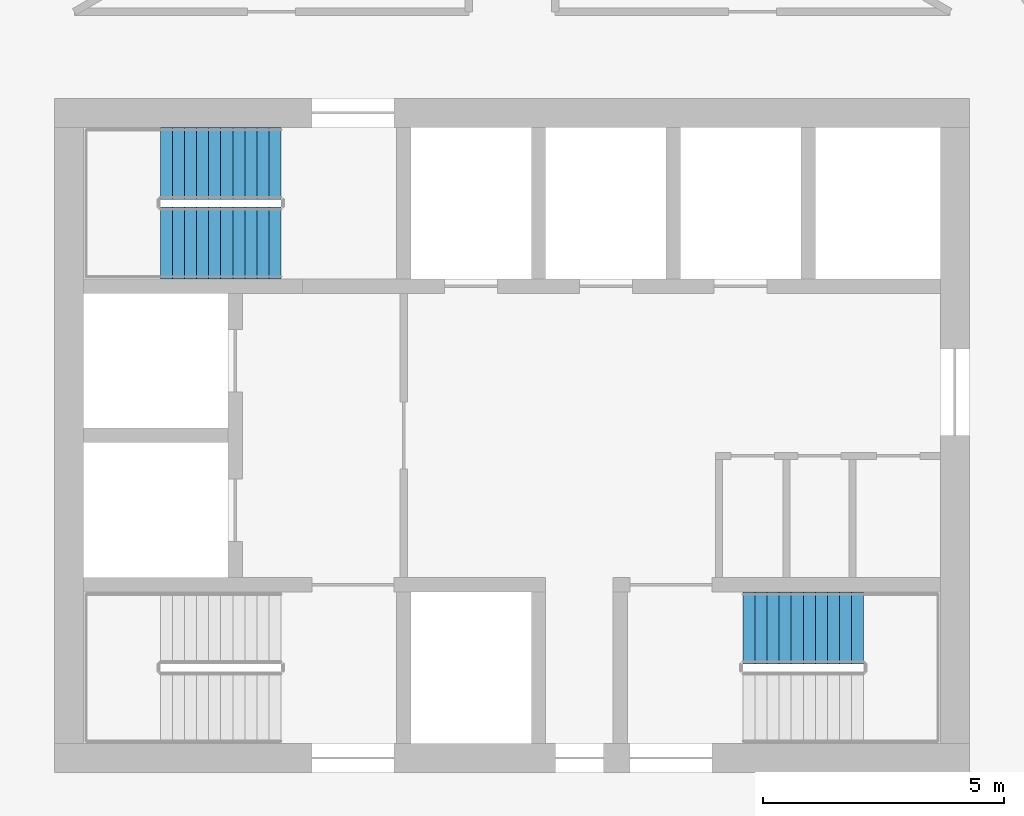
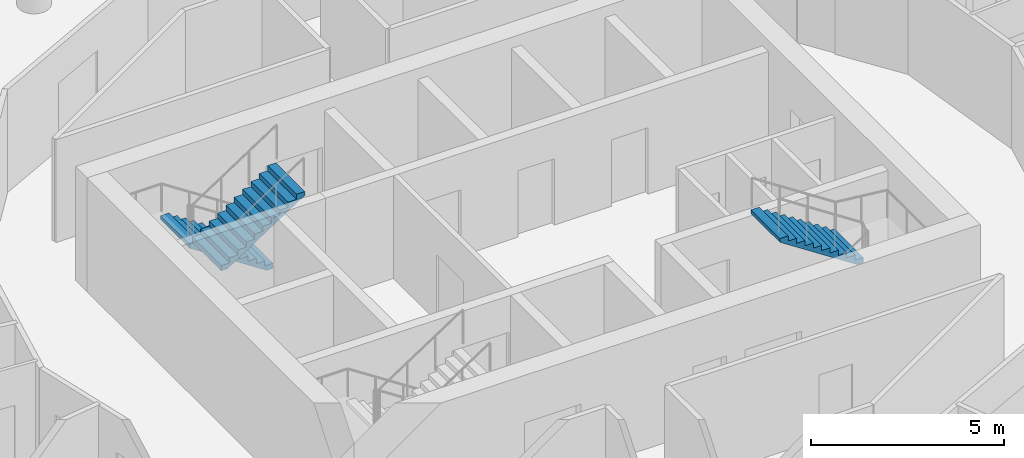
# One storey, part 11 of 12: 3 stair flights, 2 elements without a shape of their own.
"""IFC4 building model written with IfcOpenShell, lengths in metres."""

from ifc_helpers import new_model, si_unit, direction, frame, origin, place, context, subcontext, project, spatial, polyline, outline, extrude, material, type_object, element, aggregate, save


model = new_model("IFC4")

# Units and contexts
model_context = context("Model", 3, precision=1e-05, world=origin(), true_north=direction((0.0, 1.0)))
body_context = subcontext(model_context, "Body", "Model", "MODEL_VIEW")
ifc_project = project(units=[si_unit("LENGTHUNIT", "METRE"), si_unit("AREAUNIT", "SQUARE_METRE"), si_unit("VOLUMEUNIT", "CUBIC_METRE"), si_unit("PLANEANGLEUNIT", "RADIAN"), si_unit("MASSUNIT", "GRAM", prefix="KILO")], contexts=[model_context])

# Site, building, storey
site_placement = place(None, origin())
site = spatial("IfcSite", under=ifc_project, at=site_placement, CompositionType="ELEMENT")
building_placement = place(site_placement, origin())
building = spatial("IfcBuilding", under=site, at=building_placement, Name="Tracery Tower", CompositionType="ELEMENT")
storey_placement = place(building_placement, frame((0.0, 0.0, 291.0)))
storey = spatial("IfcBuildingStorey", under=building, at=storey_placement, Name="L75", CompositionType="ELEMENT", Elevation=291.0)

# Stair, stair flights
ifc_material_1 = material(Name="Concrete C32/40", Category="concrete")
stair_type = type_object("IfcStairType", Name="Core stair 22 risers", PredefinedType="HALF_TURN_STAIR", material=ifc_material_1)
stair_1_placement = place(storey_placement, origin())
stair_1 = element("IfcStair", 1, at=stair_1_placement, inside=storey, type_object=stair_type, Name="L75 stair ST3", PredefinedType="HALF_TURN_STAIR")
ifc_material_2 = material(Name="Concrete C32/40", Category="concrete")
stair_flight_type = type_object("IfcStairFlightType", Name="Core stair flight 11 risers", PredefinedType="STRAIGHT", material=ifc_material_2)
stair_flight_1_placement = place(storey_placement, frame((-4.800048828125, 5.64990234375, 0.0), z_axis=(0.0, 0.0, 1.0), x_axis=(-1.0, 0.0, 0.0)))
stair_flight_1 = element("IfcStairFlight", 2, at=stair_flight_1_placement, type_object=stair_flight_type, Name="ST3 flight 1", NumberOfRisers=11, NumberOfTreads=10, PredefinedType="STRAIGHT", RiserHeight=0.163636364, TreadLength=0.25, context=body_context, shape_type="SweptSolid", body=[
    extrude(outline(polyline([(0.0, 0.0), (0.0, 0.002685546875), (0.0, 0.00537109375), (0.0, 0.008056640625), (0.0, 0.0107421875), (0.0, 0.013427734375), (0.0, 0.01611328125), (0.0, 0.018798828125), (0.0, 0.021484375), (0.0, 0.024169921875), (0.0, 0.02685546875), (0.0, 0.029541015625), (0.0, 0.0322265625), (0.0, 0.034912109375), (0.0, 0.03759765625), (0.0, 0.040283203125), (0.0, 0.04296875), (0.0, 0.045654296875), (0.0, 0.04833984375), (0.0, 0.051025390625), (0.0, 0.0537109375), (0.0, 0.056396484375), (0.0, 0.05908203125), (0.0, 0.061767578125), (0.0, 0.064453125), (0.0, 0.067138671875), (0.0, 0.06982421875), (0.0, 0.072509765625), (0.0, 0.0751953125), (0.0, 0.077880859375), (0.0, 0.08056640625), (0.0, 0.083251953125), (0.0, 0.0859375), (0.0, 0.088623046875), (0.0, 0.09130859375), (0.0, 0.093994140625), (0.0, 0.0966796875), (0.0, 0.099365234375), (0.0, 0.10205078125), (0.0, 0.104736328125), (0.0, 0.107421875), (0.0, 0.10986328125), (0.0, 0.112548828125), (0.0, 0.115234375), (0.0, 0.117919921875), (0.0, 0.12060546875), (0.0, 0.123291015625), (0.0, 0.1259765625), (0.0, 0.128662109375), (0.0, 0.13134765625), (0.0, 0.134033203125), (0.0, 0.13671875), (0.0, 0.139404296875), (0.0, 0.14208984375), (0.0, 0.144775390625), (0.0, 0.1474609375), (0.0, 0.150146484375), (0.0, 0.15283203125), (0.0, 0.155517578125), (0.0, 0.158203125), (0.0, 0.160888671875), (0.0, 0.16357421875), (0.25, 0.16357421875), (0.25, 0.327392578125), (0.5, 0.327392578125), (0.5, 0.490966796875), (0.75, 0.490966796875), (0.75, 0.654541015625), (1.0, 0.654541015625), (1.0, 0.818115234375), (1.25, 0.818115234375), (1.25, 0.98193359375), (1.5, 0.98193359375), (1.5, 1.1455078125), (1.75, 1.1455078125), (1.75, 1.30908203125), (2.0, 1.30908203125), (2.0, 1.47265625), (2.25, 1.47265625), (2.25, 1.636474609375), (2.5, 1.636474609375), (2.5, 1.634521484375), (2.5, 1.63232421875), (2.5, 1.63037109375), (2.5, 1.62841796875), (2.5, 1.62646484375), (2.5, 1.62451171875), (2.5, 1.62255859375), (2.5, 1.62060546875), (2.5, 1.61865234375), (2.5, 1.61669921875), (2.5, 1.61474609375), (2.5, 1.61279296875), (2.5, 1.61083984375), (2.5, 1.60888671875), (2.5, 1.60693359375), (2.5, 1.60498046875), (2.5, 1.60302734375), (2.5, 1.60107421875), (2.5, 1.59912109375), (2.5, 1.59716796875), (2.5, 1.59521484375), (2.5, 1.59326171875), (2.5, 1.59130859375), (2.5, 1.58935546875), (2.5, 1.58740234375), (2.5, 1.58544921875), (2.5, 1.58349609375), (2.5, 1.58154296875), (2.5, 1.57958984375), (2.5, 1.57763671875), (2.5, 1.57568359375), (2.5, 1.573486328125), (2.5, 1.571533203125), (2.5, 1.569580078125), (2.5, 1.567626953125), (2.5, 1.565673828125), (2.5, 1.563720703125), (2.5, 1.561767578125), (2.5, 1.559814453125), (2.5, 1.557861328125), (2.5, 1.555908203125), (2.5, 1.553955078125), (2.5, 1.552001953125), (2.5, 1.550048828125), (2.5, 1.548095703125), (2.5, 1.546142578125), (2.5, 1.544189453125), (2.5, 1.542236328125), (2.5, 1.540283203125), (2.5, 1.538330078125), (2.5, 1.536376953125), (2.5, 1.534423828125), (2.5, 1.532470703125), (2.5, 1.530517578125), (2.5, 1.528564453125), (2.5, 1.526611328125), (2.5, 1.524658203125), (2.5, 1.522705078125), (2.5, 1.520751953125), (2.5, 1.518798828125), (2.5, 1.516845703125), (0.182861328125, 0.0), (0.0, 0.0)])), frame((0.0, 0.75, 0.0), z_axis=(0.0, -1.0, 0.0), x_axis=(1.0, 0.0, 0.0)), (0.0, 0.0, 1.0), 1.5),
])
stair_flight_2_placement = place(storey_placement, frame((-7.300048828125, 4.0, 1.800048828125), z_axis=(0.0, 0.0, 1.0), x_axis=(1.0, 0.0, 0.0)))
stair_flight_2 = element("IfcStairFlight", 3, at=stair_flight_2_placement, type_object=stair_flight_type, Name="ST3 flight 2", NumberOfRisers=11, NumberOfTreads=10, PredefinedType="STRAIGHT", RiserHeight=0.163636364, TreadLength=0.25, context=body_context, shape_type="SweptSolid", body=[
    extrude(outline(polyline([(0.0, 0.0), (0.0, 0.002685546875), (0.0, 0.00537109375), (0.0, 0.008056640625), (0.0, 0.0107421875), (0.0, 0.013427734375), (0.0, 0.01611328125), (0.0, 0.018798828125), (0.0, 0.021484375), (0.0, 0.024169921875), (0.0, 0.02685546875), (0.0, 0.029541015625), (0.0, 0.0322265625), (0.0, 0.034912109375), (0.0, 0.03759765625), (0.0, 0.040283203125), (0.0, 0.04296875), (0.0, 0.045654296875), (0.0, 0.04833984375), (0.0, 0.051025390625), (0.0, 0.0537109375), (0.0, 0.056396484375), (0.0, 0.05908203125), (0.0, 0.061767578125), (0.0, 0.064453125), (0.0, 0.067138671875), (0.0, 0.06982421875), (0.0, 0.072509765625), (0.0, 0.0751953125), (0.0, 0.077880859375), (0.0, 0.08056640625), (0.0, 0.083251953125), (0.0, 0.0859375), (0.0, 0.088623046875), (0.0, 0.09130859375), (0.0, 0.093994140625), (0.0, 0.0966796875), (0.0, 0.099365234375), (0.0, 0.10205078125), (0.0, 0.104736328125), (0.0, 0.107421875), (0.0, 0.10986328125), (0.0, 0.112548828125), (0.0, 0.115234375), (0.0, 0.117919921875), (0.0, 0.12060546875), (0.0, 0.123291015625), (0.0, 0.1259765625), (0.0, 0.128662109375), (0.0, 0.13134765625), (0.0, 0.134033203125), (0.0, 0.13671875), (0.0, 0.139404296875), (0.0, 0.14208984375), (0.0, 0.144775390625), (0.0, 0.1474609375), (0.0, 0.150146484375), (0.0, 0.15283203125), (0.0, 0.155517578125), (0.0, 0.158203125), (0.0, 0.160888671875), (0.0, 0.16357421875), (0.25, 0.16357421875), (0.25, 0.327392578125), (0.5, 0.327392578125), (0.5, 0.490966796875), (0.75, 0.490966796875), (0.75, 0.654541015625), (1.0, 0.654541015625), (1.0, 0.818115234375), (1.25, 0.818115234375), (1.25, 0.98193359375), (1.5, 0.98193359375), (1.5, 1.1455078125), (1.75, 1.1455078125), (1.75, 1.30908203125), (2.0, 1.30908203125), (2.0, 1.47265625), (2.25, 1.47265625), (2.25, 1.636474609375), (2.5, 1.636474609375), (2.5, 1.634521484375), (2.5, 1.63232421875), (2.5, 1.63037109375), (2.5, 1.62841796875), (2.5, 1.62646484375), (2.5, 1.62451171875), (2.5, 1.62255859375), (2.5, 1.62060546875), (2.5, 1.61865234375), (2.5, 1.61669921875), (2.5, 1.61474609375), (2.5, 1.61279296875), (2.5, 1.61083984375), (2.5, 1.60888671875), (2.5, 1.60693359375), (2.5, 1.60498046875), (2.5, 1.60302734375), (2.5, 1.60107421875), (2.5, 1.59912109375), (2.5, 1.59716796875), (2.5, 1.59521484375), (2.5, 1.59326171875), (2.5, 1.59130859375), (2.5, 1.58935546875), (2.5, 1.58740234375), (2.5, 1.58544921875), (2.5, 1.58349609375), (2.5, 1.58154296875), (2.5, 1.57958984375), (2.5, 1.57763671875), (2.5, 1.57568359375), (2.5, 1.573486328125), (2.5, 1.571533203125), (2.5, 1.569580078125), (2.5, 1.567626953125), (2.5, 1.565673828125), (2.5, 1.563720703125), (2.5, 1.561767578125), (2.5, 1.559814453125), (2.5, 1.557861328125), (2.5, 1.555908203125), (2.5, 1.553955078125), (2.5, 1.552001953125), (2.5, 1.550048828125), (2.5, 1.548095703125), (2.5, 1.546142578125), (2.5, 1.544189453125), (2.5, 1.542236328125), (2.5, 1.540283203125), (2.5, 1.538330078125), (2.5, 1.536376953125), (2.5, 1.534423828125), (2.5, 1.532470703125), (2.5, 1.530517578125), (2.5, 1.528564453125), (2.5, 1.526611328125), (2.5, 1.524658203125), (2.5, 1.522705078125), (2.5, 1.520751953125), (2.5, 1.518798828125), (2.5, 1.516845703125), (0.182861328125, 0.0), (0.0, 0.0)])), frame((0.0, 0.75, 0.0), z_axis=(0.0, -1.0, 0.0), x_axis=(1.0, 0.0, 0.0)), (0.0, 0.0, 1.0), 1.5),
])
aggregate(stair_1, [stair_flight_1, stair_flight_2])

# Stair, stair flight
stair_2_placement = place(storey_placement, origin())
stair_2 = element("IfcStair", 4, at=stair_2_placement, inside=storey, type_object=stair_type, Name="L75 stair ST2", PredefinedType="HALF_TURN_STAIR")
stair_flight_3_placement = place(storey_placement, frame((7.300048828125, -4.0, 1.800048828125), z_axis=(0.0, 0.0, 1.0), x_axis=(-1.0, 0.0, 0.0)))
stair_flight_3 = element("IfcStairFlight", 5, at=stair_flight_3_placement, type_object=stair_flight_type, Name="ST2 flight 2", NumberOfRisers=11, NumberOfTreads=10, PredefinedType="STRAIGHT", RiserHeight=0.163636364, TreadLength=0.25, context=body_context, shape_type="SweptSolid", body=[
    extrude(outline(polyline([(0.0, 0.0), (0.0, 0.002685546875), (0.0, 0.00537109375), (0.0, 0.008056640625), (0.0, 0.0107421875), (0.0, 0.013427734375), (0.0, 0.01611328125), (0.0, 0.018798828125), (0.0, 0.021484375), (0.0, 0.024169921875), (0.0, 0.02685546875), (0.0, 0.029541015625), (0.0, 0.0322265625), (0.0, 0.034912109375), (0.0, 0.03759765625), (0.0, 0.040283203125), (0.0, 0.04296875), (0.0, 0.045654296875), (0.0, 0.04833984375), (0.0, 0.051025390625), (0.0, 0.0537109375), (0.0, 0.056396484375), (0.0, 0.05908203125), (0.0, 0.061767578125), (0.0, 0.064453125), (0.0, 0.067138671875), (0.0, 0.06982421875), (0.0, 0.072509765625), (0.0, 0.0751953125), (0.0, 0.077880859375), (0.0, 0.08056640625), (0.0, 0.083251953125), (0.0, 0.0859375), (0.0, 0.088623046875), (0.0, 0.09130859375), (0.0, 0.093994140625), (0.0, 0.0966796875), (0.0, 0.099365234375), (0.0, 0.10205078125), (0.0, 0.104736328125), (0.0, 0.107421875), (0.0, 0.10986328125), (0.0, 0.112548828125), (0.0, 0.115234375), (0.0, 0.117919921875), (0.0, 0.12060546875), (0.0, 0.123291015625), (0.0, 0.1259765625), (0.0, 0.128662109375), (0.0, 0.13134765625), (0.0, 0.134033203125), (0.0, 0.13671875), (0.0, 0.139404296875), (0.0, 0.14208984375), (0.0, 0.144775390625), (0.0, 0.1474609375), (0.0, 0.150146484375), (0.0, 0.15283203125), (0.0, 0.155517578125), (0.0, 0.158203125), (0.0, 0.160888671875), (0.0, 0.16357421875), (0.25, 0.16357421875), (0.25, 0.327392578125), (0.5, 0.327392578125), (0.5, 0.490966796875), (0.75, 0.490966796875), (0.75, 0.654541015625), (1.0, 0.654541015625), (1.0, 0.818115234375), (1.25, 0.818115234375), (1.25, 0.98193359375), (1.5, 0.98193359375), (1.5, 1.1455078125), (1.75, 1.1455078125), (1.75, 1.30908203125), (2.0, 1.30908203125), (2.0, 1.47265625), (2.25, 1.47265625), (2.25, 1.636474609375), (2.5, 1.636474609375), (2.5, 1.634521484375), (2.5, 1.63232421875), (2.5, 1.63037109375), (2.5, 1.62841796875), (2.5, 1.62646484375), (2.5, 1.62451171875), (2.5, 1.62255859375), (2.5, 1.62060546875), (2.5, 1.61865234375), (2.5, 1.61669921875), (2.5, 1.61474609375), (2.5, 1.61279296875), (2.5, 1.61083984375), (2.5, 1.60888671875), (2.5, 1.60693359375), (2.5, 1.60498046875), (2.5, 1.60302734375), (2.5, 1.60107421875), (2.5, 1.59912109375), (2.5, 1.59716796875), (2.5, 1.59521484375), (2.5, 1.59326171875), (2.5, 1.59130859375), (2.5, 1.58935546875), (2.5, 1.58740234375), (2.5, 1.58544921875), (2.5, 1.58349609375), (2.5, 1.58154296875), (2.5, 1.57958984375), (2.5, 1.57763671875), (2.5, 1.57568359375), (2.5, 1.573486328125), (2.5, 1.571533203125), (2.5, 1.569580078125), (2.5, 1.567626953125), (2.5, 1.565673828125), (2.5, 1.563720703125), (2.5, 1.561767578125), (2.5, 1.559814453125), (2.5, 1.557861328125), (2.5, 1.555908203125), (2.5, 1.553955078125), (2.5, 1.552001953125), (2.5, 1.550048828125), (2.5, 1.548095703125), (2.5, 1.546142578125), (2.5, 1.544189453125), (2.5, 1.542236328125), (2.5, 1.540283203125), (2.5, 1.538330078125), (2.5, 1.536376953125), (2.5, 1.534423828125), (2.5, 1.532470703125), (2.5, 1.530517578125), (2.5, 1.528564453125), (2.5, 1.526611328125), (2.5, 1.524658203125), (2.5, 1.522705078125), (2.5, 1.520751953125), (2.5, 1.518798828125), (2.5, 1.516845703125), (0.182861328125, 0.0), (0.0, 0.0)])), frame((0.0, 0.75, 0.0), z_axis=(0.0, -1.0, 0.0), x_axis=(1.0, 0.0, 0.0)), (0.0, 0.0, 1.0), 1.5),
])
aggregate(stair_2, [stair_flight_3])

save(model, "model.ifc")
